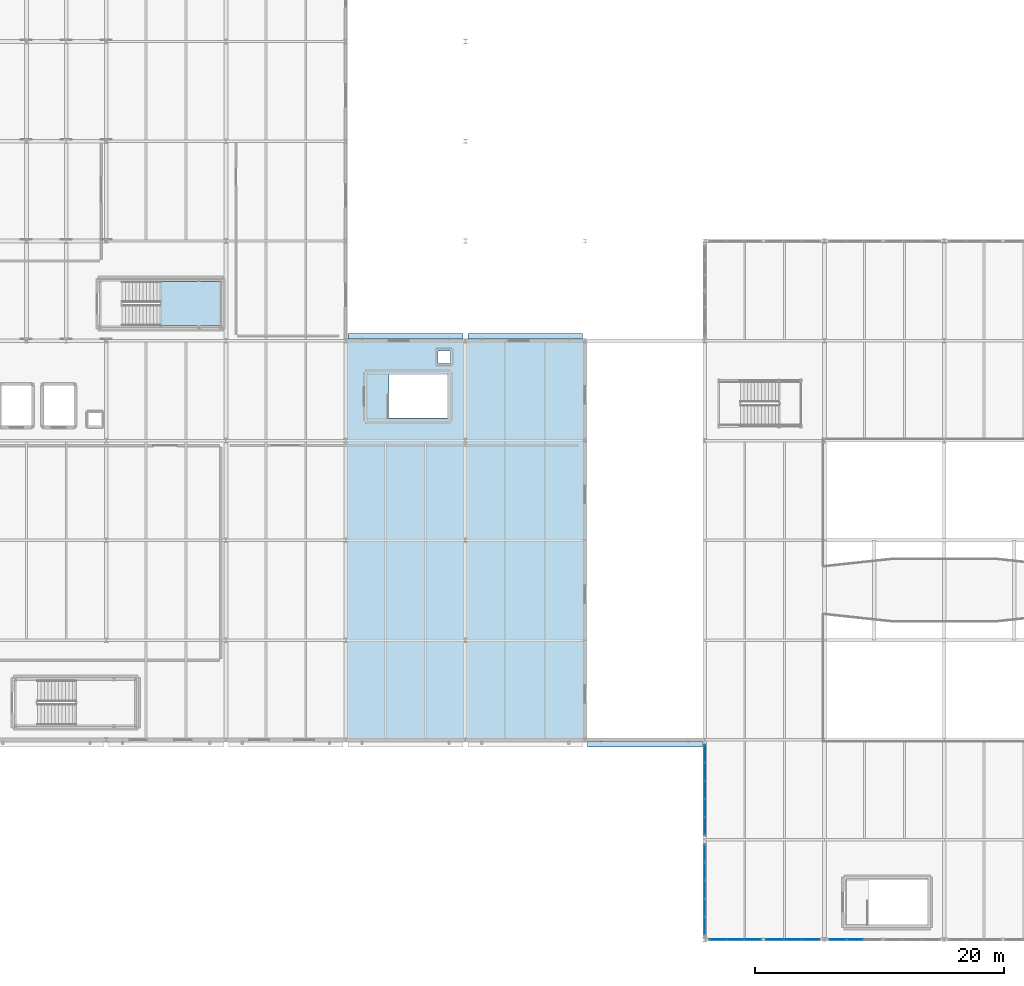
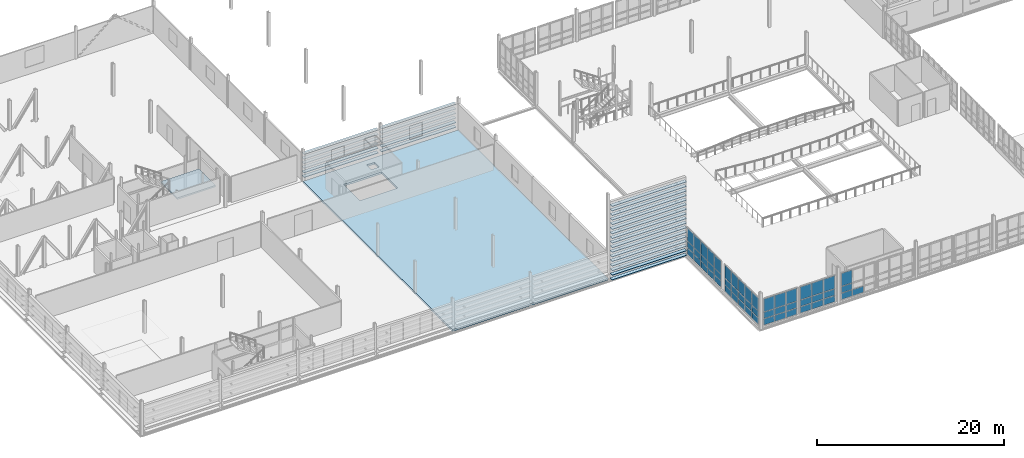
# One storey, part 47 of 73: 81 plates, 2 slabs, 6 elements without a shape of their own.
"""IFC4 building model written with IfcOpenShell, lengths in metres."""

from ifc_helpers import new_model, si_unit, direction, frame, origin, origin_2d, place, context, subcontext, project, spatial, polyline, rectangle, outline, extrude, material, layer, layer_set, type_object, element, aggregate, save


model = new_model("IFC4")

# Units and contexts
model_context = context("Model", 3, precision=1e-05, world=origin(), true_north=direction((0.0, 1.0)))
body_context = subcontext(model_context, "Body", "Model", "MODEL_VIEW")
ifc_project = project(units=[si_unit("LENGTHUNIT", "METRE"), si_unit("AREAUNIT", "SQUARE_METRE"), si_unit("VOLUMEUNIT", "CUBIC_METRE"), si_unit("PLANEANGLEUNIT", "RADIAN"), si_unit("MASSUNIT", "GRAM", prefix="KILO")], contexts=[model_context])

# Site, building, storey
site_placement = place(None, origin())
site = spatial("IfcSite", under=ifc_project, at=site_placement, CompositionType="ELEMENT")
building_placement = place(site_placement, origin())
building = spatial("IfcBuilding", under=site, at=building_placement, Name="Alderhovde Museum", CompositionType="ELEMENT")
storey_placement = place(building_placement, frame((0.0, 0.0, 12.89990234375)))
storey = spatial("IfcBuildingStorey", under=building, at=storey_placement, Name="L03", CompositionType="ELEMENT", Elevation=12.89990234375)

# Curtain wall, plates
ifc_material_1 = material(Name="Triple-Glazed Bronze-Anodised Curtain Wall", Category="glass")
ifc_layer_1 = layer(ifc_material_1, 0.179931640625)
ifc_layer_set_1 = layer_set([ifc_layer_1], Name="Triple-Glazed Bronze-Anodised Curtain Wall")
curtain_wall_type_1 = type_object("IfcCurtainWallType", Name="CW-UNIT-420x354", PredefinedType="USERDEFINED", material=ifc_layer_set_1)
curtain_wall_1_placement = place(storey_placement, origin())
curtain_wall_1 = element("IfcCurtainWall", 1, at=curtain_wall_1_placement, inside=storey, type_object=curtain_wall_type_1, Name="L03 Unitised Curtain Wall 56", ObjectType="UNITISED CURTAIN WALL", PredefinedType="USERDEFINED")
ifc_material_2 = material(Name="Triple-Glazed Low-E Laminated Glass", Category="glass")
ifc_layer_2 = layer(ifc_material_2, 0.028076171875)
ifc_layer_set_2 = layer_set([ifc_layer_2], Name="Triple-Glazed Low-E Laminated Glass")
plate_type_1 = type_object("IfcPlateType", Name="CWP-GLAZ-28", PredefinedType="CURTAIN_PANEL", material=ifc_layer_set_2)
plate_1_placement = place(storey_placement, frame((77.8662109375, 32.0, 0.06494140625), z_axis=(0.0, 0.0, 1.0), x_axis=(1.0, 0.0, 0.0)))
plate_1 = element("IfcPlate", 2, at=plate_1_placement, type_object=plate_type_1, Name="CW15 panel 1.1", PredefinedType="CURTAIN_PANEL", context=body_context, shape_type="SweptSolid", body=[
    extrude(rectangle(XDim=1.302490234375, YDim=0.028076171875, at=origin_2d()), origin(), (0.0, 0.0, 1.0), 0.802490234375),
])
plate_2_placement = place(storey_placement, frame((77.8662109375, 32.0, 0.9326171875), z_axis=(0.0, 0.0, 1.0), x_axis=(1.0, 0.0, 0.0)))
plate_2 = element("IfcPlate", 3, at=plate_2_placement, type_object=plate_type_1, Name="CW15 panel 1.2", PredefinedType="CURTAIN_PANEL", context=body_context, shape_type="SweptSolid", body=[
    extrude(rectangle(XDim=1.302490234375, YDim=0.028076171875, at=origin_2d()), origin(), (0.0, 0.0, 1.0), 0.804931640625),
])
plate_3_placement = place(storey_placement, frame((77.8662109375, 32.0, 1.802734375), z_axis=(0.0, 0.0, 1.0), x_axis=(1.0, 0.0, 0.0)))
plate_3 = element("IfcPlate", 4, at=plate_3_placement, type_object=plate_type_1, Name="CW15 panel 1.3", PredefinedType="CURTAIN_PANEL", context=body_context, shape_type="SweptSolid", body=[
    extrude(rectangle(XDim=1.302490234375, YDim=0.028076171875, at=origin_2d()), origin(), (0.0, 0.0, 1.0), 1.672607421875),
])
plate_4_placement = place(storey_placement, frame((79.25, 32.0, 0.06494140625), z_axis=(0.0, 0.0, 1.0), x_axis=(1.0, 0.0, 0.0)))
plate_4 = element("IfcPlate", 5, at=plate_4_placement, type_object=plate_type_1, Name="CW15 panel 2.1", PredefinedType="CURTAIN_PANEL", context=body_context, shape_type="SweptSolid", body=[
    extrude(rectangle(XDim=1.3349609375, YDim=0.028076171875, at=origin_2d()), origin(), (0.0, 0.0, 1.0), 0.802490234375),
])
plate_5_placement = place(storey_placement, frame((79.25, 32.0, 0.9326171875), z_axis=(0.0, 0.0, 1.0), x_axis=(1.0, 0.0, 0.0)))
plate_5 = element("IfcPlate", 6, at=plate_5_placement, type_object=plate_type_1, Name="CW15 panel 2.2", PredefinedType="CURTAIN_PANEL", context=body_context, shape_type="SweptSolid", body=[
    extrude(rectangle(XDim=1.3349609375, YDim=0.028076171875, at=origin_2d()), origin(), (0.0, 0.0, 1.0), 0.804931640625),
])
plate_6_placement = place(storey_placement, frame((79.25, 32.0, 1.802734375), z_axis=(0.0, 0.0, 1.0), x_axis=(1.0, 0.0, 0.0)))
plate_6 = element("IfcPlate", 7, at=plate_6_placement, type_object=plate_type_1, Name="CW15 panel 2.3", PredefinedType="CURTAIN_PANEL", context=body_context, shape_type="SweptSolid", body=[
    extrude(rectangle(XDim=1.3349609375, YDim=0.028076171875, at=origin_2d()), origin(), (0.0, 0.0, 1.0), 1.672607421875),
])
plate_7_placement = place(storey_placement, frame((80.6337890625, 32.0, 0.06494140625), z_axis=(0.0, 0.0, 1.0), x_axis=(1.0, 0.0, 0.0)))
plate_7 = element("IfcPlate", 8, at=plate_7_placement, type_object=plate_type_1, Name="CW15 panel 3.1", PredefinedType="CURTAIN_PANEL", context=body_context, shape_type="SweptSolid", body=[
    extrude(rectangle(XDim=1.302490234375, YDim=0.028076171875, at=origin_2d()), origin(), (0.0, 0.0, 1.0), 0.802490234375),
])
plate_8_placement = place(storey_placement, frame((80.6337890625, 32.0, 0.9326171875), z_axis=(0.0, 0.0, 1.0), x_axis=(1.0, 0.0, 0.0)))
plate_8 = element("IfcPlate", 9, at=plate_8_placement, type_object=plate_type_1, Name="CW15 panel 3.2", PredefinedType="CURTAIN_PANEL", context=body_context, shape_type="SweptSolid", body=[
    extrude(rectangle(XDim=1.302490234375, YDim=0.028076171875, at=origin_2d()), origin(), (0.0, 0.0, 1.0), 0.804931640625),
])
plate_9_placement = place(storey_placement, frame((80.6337890625, 32.0, 1.802734375), z_axis=(0.0, 0.0, 1.0), x_axis=(1.0, 0.0, 0.0)))
plate_9 = element("IfcPlate", 10, at=plate_9_placement, type_object=plate_type_1, Name="CW15 panel 3.3", PredefinedType="CURTAIN_PANEL", context=body_context, shape_type="SweptSolid", body=[
    extrude(rectangle(XDim=1.302490234375, YDim=0.028076171875, at=origin_2d()), origin(), (0.0, 0.0, 1.0), 1.672607421875),
])
aggregate(curtain_wall_1, [plate_1, plate_2, plate_3, plate_4, plate_5, plate_6, plate_7, plate_8, plate_9])

ifc_material_3 = material(Name="Triple-Glazed Bronze-Anodised Curtain Wall", Category="glass")
ifc_layer_3 = layer(ifc_material_3, 0.179931640625)
ifc_layer_set_3 = layer_set([ifc_layer_3], Name="Triple-Glazed Bronze-Anodised Curtain Wall")
curtain_wall_type_2 = type_object("IfcCurtainWallType", Name="CW-STIC-730x354", PredefinedType="USERDEFINED", material=ifc_layer_set_3)
curtain_wall_2_placement = place(storey_placement, origin())
curtain_wall_2 = element("IfcCurtainWall", 11, at=curtain_wall_2_placement, inside=storey, type_object=curtain_wall_type_2, Name="L03 Stick Curtain Wall 64", ObjectType="STICK CURTAIN WALL", PredefinedType="USERDEFINED")
plate_10_placement = place(storey_placement, frame((76.800048828125, 33.09619140625, 0.06494140625), z_axis=(0.0, 0.0, 1.0), x_axis=(0.0, 1.0, 0.0)))
plate_10 = element("IfcPlate", 12, at=plate_10_placement, type_object=plate_type_1, Name="CW17 panel 1.1", PredefinedType="CURTAIN_PANEL", context=body_context, shape_type="SweptSolid", body=[
    extrude(rectangle(XDim=1.362548828125, YDim=0.028076171875, at=origin_2d()), origin(), (0.0, 0.0, 1.0), 0.802490234375),
])
plate_11_placement = place(storey_placement, frame((76.800048828125, 33.09619140625, 0.9326171875), z_axis=(0.0, 0.0, 1.0), x_axis=(0.0, 1.0, 0.0)))
plate_11 = element("IfcPlate", 13, at=plate_11_placement, type_object=plate_type_1, Name="CW17 panel 1.2", PredefinedType="CURTAIN_PANEL", context=body_context, shape_type="SweptSolid", body=[
    extrude(rectangle(XDim=1.362548828125, YDim=0.028076171875, at=origin_2d()), origin(), (0.0, 0.0, 1.0), 0.804931640625),
])
plate_12_placement = place(storey_placement, frame((76.800048828125, 33.09619140625, 1.802734375), z_axis=(0.0, 0.0, 1.0), x_axis=(0.0, 1.0, 0.0)))
plate_12 = element("IfcPlate", 14, at=plate_12_placement, type_object=plate_type_1, Name="CW17 panel 1.3", PredefinedType="CURTAIN_PANEL", context=body_context, shape_type="SweptSolid", body=[
    extrude(rectangle(XDim=1.362548828125, YDim=0.028076171875, at=origin_2d()), origin(), (0.0, 0.0, 1.0), 1.672607421875),
])
plate_13_placement = place(storey_placement, frame((76.800048828125, 34.5400390625, 0.06494140625), z_axis=(0.0, 0.0, 1.0), x_axis=(0.0, 1.0, 0.0)))
plate_13 = element("IfcPlate", 15, at=plate_13_placement, type_object=plate_type_1, Name="CW17 panel 2.1", PredefinedType="CURTAIN_PANEL", context=body_context, shape_type="SweptSolid", body=[
    extrude(rectangle(XDim=1.39501953125, YDim=0.028076171875, at=origin_2d()), origin(), (0.0, 0.0, 1.0), 0.802490234375),
])
plate_14_placement = place(storey_placement, frame((76.800048828125, 34.5400390625, 0.9326171875), z_axis=(0.0, 0.0, 1.0), x_axis=(0.0, 1.0, 0.0)))
plate_14 = element("IfcPlate", 16, at=plate_14_placement, type_object=plate_type_1, Name="CW17 panel 2.2", PredefinedType="CURTAIN_PANEL", context=body_context, shape_type="SweptSolid", body=[
    extrude(rectangle(XDim=1.39501953125, YDim=0.028076171875, at=origin_2d()), origin(), (0.0, 0.0, 1.0), 0.804931640625),
])
plate_15_placement = place(storey_placement, frame((76.800048828125, 34.5400390625, 1.802734375), z_axis=(0.0, 0.0, 1.0), x_axis=(0.0, 1.0, 0.0)))
plate_15 = element("IfcPlate", 17, at=plate_15_placement, type_object=plate_type_1, Name="CW17 panel 2.3", PredefinedType="CURTAIN_PANEL", context=body_context, shape_type="SweptSolid", body=[
    extrude(rectangle(XDim=1.39501953125, YDim=0.028076171875, at=origin_2d()), origin(), (0.0, 0.0, 1.0), 1.672607421875),
])
plate_16_placement = place(storey_placement, frame((76.800048828125, 36.0, 0.06494140625), z_axis=(0.0, 0.0, 1.0), x_axis=(0.0, 1.0, 0.0)))
plate_16 = element("IfcPlate", 18, at=plate_16_placement, type_object=plate_type_1, Name="CW17 panel 3.1", PredefinedType="CURTAIN_PANEL", context=body_context, shape_type="SweptSolid", body=[
    extrude(rectangle(XDim=1.39501953125, YDim=0.028076171875, at=origin_2d()), origin(), (0.0, 0.0, 1.0), 0.802490234375),
])
plate_17_placement = place(storey_placement, frame((76.800048828125, 36.0, 0.9326171875), z_axis=(0.0, 0.0, 1.0), x_axis=(0.0, 1.0, 0.0)))
plate_17 = element("IfcPlate", 19, at=plate_17_placement, type_object=plate_type_1, Name="CW17 panel 3.2", PredefinedType="CURTAIN_PANEL", context=body_context, shape_type="SweptSolid", body=[
    extrude(rectangle(XDim=1.39501953125, YDim=0.028076171875, at=origin_2d()), origin(), (0.0, 0.0, 1.0), 0.804931640625),
])
plate_18_placement = place(storey_placement, frame((76.800048828125, 36.0, 1.802734375), z_axis=(0.0, 0.0, 1.0), x_axis=(0.0, 1.0, 0.0)))
plate_18 = element("IfcPlate", 20, at=plate_18_placement, type_object=plate_type_1, Name="CW17 panel 3.3", PredefinedType="CURTAIN_PANEL", context=body_context, shape_type="SweptSolid", body=[
    extrude(rectangle(XDim=1.39501953125, YDim=0.028076171875, at=origin_2d()), origin(), (0.0, 0.0, 1.0), 1.672607421875),
])
plate_19_placement = place(storey_placement, frame((76.800048828125, 37.4599609375, 0.06494140625), z_axis=(0.0, 0.0, 1.0), x_axis=(0.0, 1.0, 0.0)))
plate_19 = element("IfcPlate", 21, at=plate_19_placement, type_object=plate_type_1, Name="CW17 panel 4.1", PredefinedType="CURTAIN_PANEL", context=body_context, shape_type="SweptSolid", body=[
    extrude(rectangle(XDim=1.39501953125, YDim=0.028076171875, at=origin_2d()), origin(), (0.0, 0.0, 1.0), 0.802490234375),
])
plate_20_placement = place(storey_placement, frame((76.800048828125, 37.4599609375, 0.9326171875), z_axis=(0.0, 0.0, 1.0), x_axis=(0.0, 1.0, 0.0)))
plate_20 = element("IfcPlate", 22, at=plate_20_placement, type_object=plate_type_1, Name="CW17 panel 4.2", PredefinedType="CURTAIN_PANEL", context=body_context, shape_type="SweptSolid", body=[
    extrude(rectangle(XDim=1.39501953125, YDim=0.028076171875, at=origin_2d()), origin(), (0.0, 0.0, 1.0), 0.804931640625),
])
plate_21_placement = place(storey_placement, frame((76.800048828125, 37.4599609375, 1.802734375), z_axis=(0.0, 0.0, 1.0), x_axis=(0.0, 1.0, 0.0)))
plate_21 = element("IfcPlate", 23, at=plate_21_placement, type_object=plate_type_1, Name="CW17 panel 4.3", PredefinedType="CURTAIN_PANEL", context=body_context, shape_type="SweptSolid", body=[
    extrude(rectangle(XDim=1.39501953125, YDim=0.028076171875, at=origin_2d()), origin(), (0.0, 0.0, 1.0), 1.672607421875),
])
plate_22_placement = place(storey_placement, frame((76.800048828125, 38.90380859375, 0.06494140625), z_axis=(0.0, 0.0, 1.0), x_axis=(0.0, 1.0, 0.0)))
plate_22 = element("IfcPlate", 24, at=plate_22_placement, type_object=plate_type_1, Name="CW17 panel 5.1", PredefinedType="CURTAIN_PANEL", context=body_context, shape_type="SweptSolid", body=[
    extrude(rectangle(XDim=1.362548828125, YDim=0.028076171875, at=origin_2d()), origin(), (0.0, 0.0, 1.0), 0.802490234375),
])
plate_23_placement = place(storey_placement, frame((76.800048828125, 38.90380859375, 0.9326171875), z_axis=(0.0, 0.0, 1.0), x_axis=(0.0, 1.0, 0.0)))
plate_23 = element("IfcPlate", 25, at=plate_23_placement, type_object=plate_type_1, Name="CW17 panel 5.2", PredefinedType="CURTAIN_PANEL", context=body_context, shape_type="SweptSolid", body=[
    extrude(rectangle(XDim=1.362548828125, YDim=0.028076171875, at=origin_2d()), origin(), (0.0, 0.0, 1.0), 0.804931640625),
])
plate_24_placement = place(storey_placement, frame((76.800048828125, 38.90380859375, 1.802734375), z_axis=(0.0, 0.0, 1.0), x_axis=(0.0, 1.0, 0.0)))
plate_24 = element("IfcPlate", 26, at=plate_24_placement, type_object=plate_type_1, Name="CW17 panel 5.3", PredefinedType="CURTAIN_PANEL", context=body_context, shape_type="SweptSolid", body=[
    extrude(rectangle(XDim=1.362548828125, YDim=0.028076171875, at=origin_2d()), origin(), (0.0, 0.0, 1.0), 1.672607421875),
])
aggregate(curtain_wall_2, [plate_10, plate_11, plate_12, plate_13, plate_14, plate_15, plate_16, plate_17, plate_18, plate_19, plate_20, plate_21, plate_22, plate_23, plate_24])

ifc_material_4 = material(Name="Triple-Glazed Bronze-Anodised Curtain Wall", Category="glass")
ifc_layer_4 = layer(ifc_material_4, 0.179931640625)
ifc_layer_set_4 = layer_set([ifc_layer_4], Name="Triple-Glazed Bronze-Anodised Curtain Wall")
curtain_wall_type_3 = type_object("IfcCurtainWallType", Name="CW-UNIT-440x354", PredefinedType="USERDEFINED", material=ifc_layer_set_4)
curtain_wall_3_placement = place(storey_placement, origin())
curtain_wall_3 = element("IfcCurtainWall", 27, at=curtain_wall_3_placement, inside=storey, type_object=curtain_wall_type_3, Name="L03 Unitised Curtain Wall 57", ObjectType="UNITISED CURTAIN WALL", PredefinedType="USERDEFINED")
ifc_material_5 = material(Name="Triple-Glazed Low-E Laminated Glass", Category="glass")
ifc_layer_5 = layer(ifc_material_5, 0.035888671875)
ifc_layer_set_5 = layer_set([ifc_layer_5], Name="Triple-Glazed Low-E Laminated Glass")
plate_type_2 = type_object("IfcPlateType", Name="CWP-GLAZ-36", PredefinedType="CURTAIN_PANEL", material=ifc_layer_set_5)
plate_25_placement = place(storey_placement, frame((82.399658203125, 32.0, 0.06494140625), z_axis=(0.0, 0.0, 1.0), x_axis=(1.0, 0.0, 0.0)))
plate_25 = element("IfcPlate", 28, at=plate_25_placement, type_object=plate_type_2, Name="CW16 panel 1.1", PredefinedType="CURTAIN_PANEL", context=body_context, shape_type="SweptSolid", body=[
    extrude(rectangle(XDim=1.369140625, YDim=0.035888671875, at=origin_2d()), origin(), (0.0, 0.0, 1.0), 0.802490234375),
])
plate_26_placement = place(storey_placement, frame((82.399658203125, 32.0, 0.9326171875), z_axis=(0.0, 0.0, 1.0), x_axis=(1.0, 0.0, 0.0)))
plate_26 = element("IfcPlate", 29, at=plate_26_placement, type_object=plate_type_2, Name="CW16 panel 1.2", PredefinedType="CURTAIN_PANEL", context=body_context, shape_type="SweptSolid", body=[
    extrude(rectangle(XDim=1.369140625, YDim=0.035888671875, at=origin_2d()), origin(), (0.0, 0.0, 1.0), 0.804931640625),
])
plate_27_placement = place(storey_placement, frame((82.399658203125, 32.0, 1.802734375), z_axis=(0.0, 0.0, 1.0), x_axis=(1.0, 0.0, 0.0)))
plate_27 = element("IfcPlate", 30, at=plate_27_placement, type_object=plate_type_2, Name="CW16 panel 1.3", PredefinedType="CURTAIN_PANEL", context=body_context, shape_type="SweptSolid", body=[
    extrude(rectangle(XDim=1.369140625, YDim=0.035888671875, at=origin_2d()), origin(), (0.0, 0.0, 1.0), 1.672607421875),
])
plate_28_placement = place(storey_placement, frame((83.85009765625, 32.0, 0.06494140625), z_axis=(0.0, 0.0, 1.0), x_axis=(1.0, 0.0, 0.0)))
plate_28 = element("IfcPlate", 31, at=plate_28_placement, type_object=plate_type_2, Name="CW16 panel 2.1", PredefinedType="CURTAIN_PANEL", context=body_context, shape_type="SweptSolid", body=[
    extrude(rectangle(XDim=1.401611328125, YDim=0.035888671875, at=origin_2d()), origin(), (0.0, 0.0, 1.0), 0.802490234375),
])
plate_29_placement = place(storey_placement, frame((83.85009765625, 32.0, 0.9326171875), z_axis=(0.0, 0.0, 1.0), x_axis=(1.0, 0.0, 0.0)))
plate_29 = element("IfcPlate", 32, at=plate_29_placement, type_object=plate_type_2, Name="CW16 panel 2.2", PredefinedType="CURTAIN_PANEL", context=body_context, shape_type="SweptSolid", body=[
    extrude(rectangle(XDim=1.401611328125, YDim=0.035888671875, at=origin_2d()), origin(), (0.0, 0.0, 1.0), 0.804931640625),
])
plate_30_placement = place(storey_placement, frame((83.85009765625, 32.0, 1.802734375), z_axis=(0.0, 0.0, 1.0), x_axis=(1.0, 0.0, 0.0)))
plate_30 = element("IfcPlate", 33, at=plate_30_placement, type_object=plate_type_2, Name="CW16 panel 2.3", PredefinedType="CURTAIN_PANEL", context=body_context, shape_type="SweptSolid", body=[
    extrude(rectangle(XDim=1.401611328125, YDim=0.035888671875, at=origin_2d()), origin(), (0.0, 0.0, 1.0), 1.672607421875),
])
plate_31_placement = place(storey_placement, frame((85.300537109375, 32.0, 0.06494140625), z_axis=(0.0, 0.0, 1.0), x_axis=(1.0, 0.0, 0.0)))
plate_31 = element("IfcPlate", 34, at=plate_31_placement, type_object=plate_type_2, Name="CW16 panel 3.1", PredefinedType="CURTAIN_PANEL", context=body_context, shape_type="SweptSolid", body=[
    extrude(rectangle(XDim=1.369140625, YDim=0.035888671875, at=origin_2d()), origin(), (0.0, 0.0, 1.0), 0.802490234375),
])
plate_32_placement = place(storey_placement, frame((85.300537109375, 32.0, 0.9326171875), z_axis=(0.0, 0.0, 1.0), x_axis=(1.0, 0.0, 0.0)))
plate_32 = element("IfcPlate", 35, at=plate_32_placement, type_object=plate_type_2, Name="CW16 panel 3.2", PredefinedType="CURTAIN_PANEL", context=body_context, shape_type="SweptSolid", body=[
    extrude(rectangle(XDim=1.369140625, YDim=0.035888671875, at=origin_2d()), origin(), (0.0, 0.0, 1.0), 0.804931640625),
])
plate_33_placement = place(storey_placement, frame((85.300537109375, 32.0, 1.802734375), z_axis=(0.0, 0.0, 1.0), x_axis=(1.0, 0.0, 0.0)))
plate_33 = element("IfcPlate", 36, at=plate_33_placement, type_object=plate_type_2, Name="CW16 panel 3.3", PredefinedType="CURTAIN_PANEL", context=body_context, shape_type="SweptSolid", body=[
    extrude(rectangle(XDim=1.369140625, YDim=0.035888671875, at=origin_2d()), origin(), (0.0, 0.0, 1.0), 1.672607421875),
])
aggregate(curtain_wall_3, [plate_25, plate_26, plate_27, plate_28, plate_29, plate_30, plate_31, plate_32, plate_33])

curtain_wall_4_placement = place(storey_placement, origin())
curtain_wall_4 = element("IfcCurtainWall", 37, at=curtain_wall_4_placement, inside=storey, type_object=curtain_wall_type_2, Name="L03 Stick Curtain Wall 65", ObjectType="STICK CURTAIN WALL", PredefinedType="USERDEFINED")
plate_34_placement = place(storey_placement, frame((76.800048828125, 41.09619140625, 0.06494140625), z_axis=(0.0, 0.0, 1.0), x_axis=(0.0, 1.0, 0.0)))
plate_34 = element("IfcPlate", 38, at=plate_34_placement, type_object=plate_type_2, Name="CW17 panel 1.1", PredefinedType="CURTAIN_PANEL", context=body_context, shape_type="SweptSolid", body=[
    extrude(rectangle(XDim=1.362548828125, YDim=0.035888671875, at=origin_2d()), origin(), (0.0, 0.0, 1.0), 0.802490234375),
])
plate_35_placement = place(storey_placement, frame((76.800048828125, 41.09619140625, 0.9326171875), z_axis=(0.0, 0.0, 1.0), x_axis=(0.0, 1.0, 0.0)))
plate_35 = element("IfcPlate", 39, at=plate_35_placement, type_object=plate_type_2, Name="CW17 panel 1.2", PredefinedType="CURTAIN_PANEL", context=body_context, shape_type="SweptSolid", body=[
    extrude(rectangle(XDim=1.362548828125, YDim=0.035888671875, at=origin_2d()), origin(), (0.0, 0.0, 1.0), 0.804931640625),
])
plate_36_placement = place(storey_placement, frame((76.800048828125, 41.09619140625, 1.802734375), z_axis=(0.0, 0.0, 1.0), x_axis=(0.0, 1.0, 0.0)))
plate_36 = element("IfcPlate", 40, at=plate_36_placement, type_object=plate_type_2, Name="CW17 panel 1.3", PredefinedType="CURTAIN_PANEL", context=body_context, shape_type="SweptSolid", body=[
    extrude(rectangle(XDim=1.362548828125, YDim=0.035888671875, at=origin_2d()), origin(), (0.0, 0.0, 1.0), 1.672607421875),
])
plate_37_placement = place(storey_placement, frame((76.800048828125, 42.5400390625, 0.06494140625), z_axis=(0.0, 0.0, 1.0), x_axis=(0.0, 1.0, 0.0)))
plate_37 = element("IfcPlate", 41, at=plate_37_placement, type_object=plate_type_2, Name="CW17 panel 2.1", PredefinedType="CURTAIN_PANEL", context=body_context, shape_type="SweptSolid", body=[
    extrude(rectangle(XDim=1.39501953125, YDim=0.035888671875, at=origin_2d()), origin(), (0.0, 0.0, 1.0), 0.802490234375),
])
plate_38_placement = place(storey_placement, frame((76.800048828125, 42.5400390625, 0.9326171875), z_axis=(0.0, 0.0, 1.0), x_axis=(0.0, 1.0, 0.0)))
plate_38 = element("IfcPlate", 42, at=plate_38_placement, type_object=plate_type_2, Name="CW17 panel 2.2", PredefinedType="CURTAIN_PANEL", context=body_context, shape_type="SweptSolid", body=[
    extrude(rectangle(XDim=1.39501953125, YDim=0.035888671875, at=origin_2d()), origin(), (0.0, 0.0, 1.0), 0.804931640625),
])
plate_39_placement = place(storey_placement, frame((76.800048828125, 42.5400390625, 1.802734375), z_axis=(0.0, 0.0, 1.0), x_axis=(0.0, 1.0, 0.0)))
plate_39 = element("IfcPlate", 43, at=plate_39_placement, type_object=plate_type_2, Name="CW17 panel 2.3", PredefinedType="CURTAIN_PANEL", context=body_context, shape_type="SweptSolid", body=[
    extrude(rectangle(XDim=1.39501953125, YDim=0.035888671875, at=origin_2d()), origin(), (0.0, 0.0, 1.0), 1.672607421875),
])
plate_40_placement = place(storey_placement, frame((76.800048828125, 44.0, 0.06494140625), z_axis=(0.0, 0.0, 1.0), x_axis=(0.0, 1.0, 0.0)))
plate_40 = element("IfcPlate", 44, at=plate_40_placement, type_object=plate_type_2, Name="CW17 panel 3.1", PredefinedType="CURTAIN_PANEL", context=body_context, shape_type="SweptSolid", body=[
    extrude(rectangle(XDim=1.39501953125, YDim=0.035888671875, at=origin_2d()), origin(), (0.0, 0.0, 1.0), 0.802490234375),
])
plate_41_placement = place(storey_placement, frame((76.800048828125, 44.0, 0.9326171875), z_axis=(0.0, 0.0, 1.0), x_axis=(0.0, 1.0, 0.0)))
plate_41 = element("IfcPlate", 45, at=plate_41_placement, type_object=plate_type_2, Name="CW17 panel 3.2", PredefinedType="CURTAIN_PANEL", context=body_context, shape_type="SweptSolid", body=[
    extrude(rectangle(XDim=1.39501953125, YDim=0.035888671875, at=origin_2d()), origin(), (0.0, 0.0, 1.0), 0.804931640625),
])
plate_42_placement = place(storey_placement, frame((76.800048828125, 44.0, 1.802734375), z_axis=(0.0, 0.0, 1.0), x_axis=(0.0, 1.0, 0.0)))
plate_42 = element("IfcPlate", 46, at=plate_42_placement, type_object=plate_type_2, Name="CW17 panel 3.3", PredefinedType="CURTAIN_PANEL", context=body_context, shape_type="SweptSolid", body=[
    extrude(rectangle(XDim=1.39501953125, YDim=0.035888671875, at=origin_2d()), origin(), (0.0, 0.0, 1.0), 1.672607421875),
])
plate_43_placement = place(storey_placement, frame((76.800048828125, 45.4599609375, 0.06494140625), z_axis=(0.0, 0.0, 1.0), x_axis=(0.0, 1.0, 0.0)))
plate_43 = element("IfcPlate", 47, at=plate_43_placement, type_object=plate_type_2, Name="CW17 panel 4.1", PredefinedType="CURTAIN_PANEL", context=body_context, shape_type="SweptSolid", body=[
    extrude(rectangle(XDim=1.39501953125, YDim=0.035888671875, at=origin_2d()), origin(), (0.0, 0.0, 1.0), 0.802490234375),
])
plate_44_placement = place(storey_placement, frame((76.800048828125, 45.4599609375, 0.9326171875), z_axis=(0.0, 0.0, 1.0), x_axis=(0.0, 1.0, 0.0)))
plate_44 = element("IfcPlate", 48, at=plate_44_placement, type_object=plate_type_2, Name="CW17 panel 4.2", PredefinedType="CURTAIN_PANEL", context=body_context, shape_type="SweptSolid", body=[
    extrude(rectangle(XDim=1.39501953125, YDim=0.035888671875, at=origin_2d()), origin(), (0.0, 0.0, 1.0), 0.804931640625),
])
plate_45_placement = place(storey_placement, frame((76.800048828125, 45.4599609375, 1.802734375), z_axis=(0.0, 0.0, 1.0), x_axis=(0.0, 1.0, 0.0)))
plate_45 = element("IfcPlate", 49, at=plate_45_placement, type_object=plate_type_2, Name="CW17 panel 4.3", PredefinedType="CURTAIN_PANEL", context=body_context, shape_type="SweptSolid", body=[
    extrude(rectangle(XDim=1.39501953125, YDim=0.035888671875, at=origin_2d()), origin(), (0.0, 0.0, 1.0), 1.672607421875),
])
plate_46_placement = place(storey_placement, frame((76.800048828125, 46.90380859375, 0.06494140625), z_axis=(0.0, 0.0, 1.0), x_axis=(0.0, 1.0, 0.0)))
plate_46 = element("IfcPlate", 50, at=plate_46_placement, type_object=plate_type_2, Name="CW17 panel 5.1", PredefinedType="CURTAIN_PANEL", context=body_context, shape_type="SweptSolid", body=[
    extrude(rectangle(XDim=1.362548828125, YDim=0.035888671875, at=origin_2d()), origin(), (0.0, 0.0, 1.0), 0.802490234375),
])
plate_47_placement = place(storey_placement, frame((76.800048828125, 46.90380859375, 0.9326171875), z_axis=(0.0, 0.0, 1.0), x_axis=(0.0, 1.0, 0.0)))
plate_47 = element("IfcPlate", 51, at=plate_47_placement, type_object=plate_type_2, Name="CW17 panel 5.2", PredefinedType="CURTAIN_PANEL", context=body_context, shape_type="SweptSolid", body=[
    extrude(rectangle(XDim=1.362548828125, YDim=0.035888671875, at=origin_2d()), origin(), (0.0, 0.0, 1.0), 0.804931640625),
])
plate_48_placement = place(storey_placement, frame((76.800048828125, 46.90380859375, 1.802734375), z_axis=(0.0, 0.0, 1.0), x_axis=(0.0, 1.0, 0.0)))
plate_48 = element("IfcPlate", 52, at=plate_48_placement, type_object=plate_type_2, Name="CW17 panel 5.3", PredefinedType="CURTAIN_PANEL", context=body_context, shape_type="SweptSolid", body=[
    extrude(rectangle(XDim=1.362548828125, YDim=0.035888671875, at=origin_2d()), origin(), (0.0, 0.0, 1.0), 1.672607421875),
])
aggregate(curtain_wall_4, [plate_34, plate_35, plate_36, plate_37, plate_38, plate_39, plate_40, plate_41, plate_42, plate_43, plate_44, plate_45, plate_46, plate_47, plate_48])

curtain_wall_5_placement = place(storey_placement, origin())
curtain_wall_5 = element("IfcCurtainWall", 53, at=curtain_wall_5_placement, inside=storey, type_object=curtain_wall_type_1, Name="L03 Unitised Curtain Wall 58", ObjectType="UNITISED CURTAIN WALL", PredefinedType="USERDEFINED")
ifc_material_6 = material(Name="Triple-Glazed Low-E Laminated Glass", Category="glass")
ifc_layer_6 = layer(ifc_material_6, 0.0439453125)
ifc_layer_set_6 = layer_set([ifc_layer_6], Name="Triple-Glazed Low-E Laminated Glass")
plate_type_3 = type_object("IfcPlateType", Name="CWP-GLAZ-44", PredefinedType="CURTAIN_PANEL", material=ifc_layer_set_6)
plate_49_placement = place(storey_placement, frame((87.46630859375, 32.0, 0.06494140625), z_axis=(0.0, 0.0, 1.0), x_axis=(1.0, 0.0, 0.0)))
plate_49 = element("IfcPlate", 54, at=plate_49_placement, type_object=plate_type_3, Name="CW15 panel 1.1", PredefinedType="CURTAIN_PANEL", context=body_context, shape_type="SweptSolid", body=[
    extrude(rectangle(XDim=1.302490234375, YDim=0.0439453125, at=origin_2d()), origin(), (0.0, 0.0, 1.0), 0.802490234375),
])
plate_50_placement = place(storey_placement, frame((87.46630859375, 32.0, 0.9326171875), z_axis=(0.0, 0.0, 1.0), x_axis=(1.0, 0.0, 0.0)))
plate_50 = element("IfcPlate", 55, at=plate_50_placement, type_object=plate_type_3, Name="CW15 panel 1.2", PredefinedType="CURTAIN_PANEL", context=body_context, shape_type="SweptSolid", body=[
    extrude(rectangle(XDim=1.302490234375, YDim=0.0439453125, at=origin_2d()), origin(), (0.0, 0.0, 1.0), 0.804931640625),
])
plate_51_placement = place(storey_placement, frame((87.46630859375, 32.0, 1.802734375), z_axis=(0.0, 0.0, 1.0), x_axis=(1.0, 0.0, 0.0)))
plate_51 = element("IfcPlate", 56, at=plate_51_placement, type_object=plate_type_3, Name="CW15 panel 1.3", PredefinedType="CURTAIN_PANEL", context=body_context, shape_type="SweptSolid", body=[
    extrude(rectangle(XDim=1.302490234375, YDim=0.0439453125, at=origin_2d()), origin(), (0.0, 0.0, 1.0), 1.672607421875),
])
plate_52_placement = place(storey_placement, frame((88.85009765625, 32.0, 0.06494140625), z_axis=(0.0, 0.0, 1.0), x_axis=(1.0, 0.0, 0.0)))
plate_52 = element("IfcPlate", 57, at=plate_52_placement, type_object=plate_type_3, Name="CW15 panel 2.1", PredefinedType="CURTAIN_PANEL", context=body_context, shape_type="SweptSolid", body=[
    extrude(rectangle(XDim=1.3349609375, YDim=0.0439453125, at=origin_2d()), origin(), (0.0, 0.0, 1.0), 0.802490234375),
])
aggregate(curtain_wall_5, [plate_49, plate_50, plate_51, plate_52])

# Plates
ifc_material_7 = material(Name="Bronze-Anodised Aluminium EN AW-6063-T6", Category="aluminium")
ifc_layer_7 = layer(ifc_material_7, 0.06494140625)
ifc_layer_set_7 = layer_set([ifc_layer_7], Name="Bronze-Anodised Aluminium EN AW-6063-T6")
plate_type_4 = type_object("IfcPlateType", Name="LV-BLADE-450", PredefinedType="USERDEFINED", material=ifc_layer_set_7)
for number, where, z_axis, x_axis, name in (
    (58, (72.0, 47.64501953125, 0.007568359375), (0.0, 0.0, 1.0), (1.0, 0.0, 0.0), "L03 Wrap-Around Horizontal Louvre 16"),
    (59, (72.0, 47.64501953125, 0.607666015625), (0.0, 0.0, 1.0), (1.0, 0.0, 0.0), "L03 Wrap-Around Horizontal Louvre 17"),
    (60, (72.0, 47.64501953125, 1.20751953125), (0.0, 0.0, 1.0), (1.0, 0.0, 0.0), "L03 Wrap-Around Horizontal Louvre 18"),
    (61, (72.0, 47.64501953125, 1.8076171875), (0.0, 0.0, 1.0), (1.0, 0.0, 0.0), "L03 Wrap-Around Horizontal Louvre 19"),
    (62, (72.0, 47.64501953125, 2.40771484375), (0.0, 0.0, 1.0), (1.0, 0.0, 0.0), "L03 Wrap-Around Horizontal Louvre 20"),
    (63, (72.0, 47.64501953125, 3.007568359375), (0.0, 0.0, 1.0), (1.0, 0.0, 0.0), "L03 Wrap-Around Horizontal Louvre 21"),
    (64, (72.0, 47.64501953125, 3.607666015625), (0.0, 0.0, 1.0), (1.0, 0.0, 0.0), "L03 Wrap-Around Horizontal Louvre 22"),
    (65, (72.0, 47.64501953125, 4.20751953125), (0.0, 0.0, 1.0), (1.0, 0.0, 0.0), "L03 Wrap-Around Horizontal Louvre 23"),
    (66, (72.0, 47.64501953125, 4.8076171875), (0.0, 0.0, 1.0), (1.0, 0.0, 0.0), "L03 Wrap-Around Horizontal Louvre 24"),
    (67, (72.0, 47.64501953125, 5.40771484375), (0.0, 0.0, 1.0), (1.0, 0.0, 0.0), "L03 Wrap-Around Horizontal Louvre 25"),
    (68, (72.0, 47.64501953125, 6.007568359375), (0.0, 0.0, 1.0), (1.0, 0.0, 0.0), "L03 Wrap-Around Horizontal Louvre 26"),
    (69, (72.0, 47.64501953125, 6.607666015625), (0.0, 0.0, 1.0), (1.0, 0.0, 0.0), "L03 Wrap-Around Horizontal Louvre 27"),
    (70, (72.0, 47.64501953125, 7.20751953125), (0.0, 0.0, 1.0), (1.0, 0.0, 0.0), "L03 Wrap-Around Horizontal Louvre 28"),
    (71, (72.0, 47.64501953125, 7.8076171875), (0.0, 0.0, 1.0), (1.0, 0.0, 0.0), "L03 Wrap-Around Horizontal Louvre 29"),
    (72, (72.0, 47.64501953125, 8.40771484375), (0.0, 0.0, 1.0), (1.0, 0.0, 0.0), "L03 Wrap-Around Horizontal Louvre 30"),
    (73, (72.0, 47.64501953125, 9.007568359375), (0.0, 0.0, 1.0), (1.0, 0.0, 0.0), "L03 Wrap-Around Horizontal Louvre 31"),
    (74, (72.0, 47.64501953125, 9.607666015625), (0.0, 0.0, 1.0), (1.0, 0.0, 0.0), "L03 Wrap-Around Horizontal Louvre 32"),
    (75, (52.800048828125, 80.35498046875, 0.267578125), (0.0, 0.0, 1.0), (1.0, 0.0, 0.0), "L03 Wrap-Around Horizontal Louvre 187"),
    (76, (52.800048828125, 80.35498046875, 0.86767578125), (0.0, 0.0, 1.0), (1.0, 0.0, 0.0), "L03 Wrap-Around Horizontal Louvre 188"),
    (77, (52.800048828125, 80.35498046875, 1.467529296875), (0.0, 0.0, 1.0), (1.0, 0.0, 0.0), "L03 Wrap-Around Horizontal Louvre 189"),
    (78, (52.800048828125, 80.35498046875, 2.067626953125), (0.0, 0.0, 1.0), (1.0, 0.0, 0.0), "L03 Wrap-Around Horizontal Louvre 190"),
    (79, (52.800048828125, 80.35498046875, 2.667724609375), (0.0, 0.0, 1.0), (1.0, 0.0, 0.0), "L03 Wrap-Around Horizontal Louvre 191"),
    (80, (52.800048828125, 80.35498046875, 3.267578125), (0.0, 0.0, 1.0), (1.0, 0.0, 0.0), "L03 Wrap-Around Horizontal Louvre 192"),
    (81, (62.39990234375, 80.35498046875, 0.267578125), (0.0, 0.0, 1.0), (1.0, 0.0, 0.0), "L03 Wrap-Around Horizontal Louvre 193"),
    (82, (62.39990234375, 80.35498046875, 0.86767578125), (0.0, 0.0, 1.0), (1.0, 0.0, 0.0), "L03 Wrap-Around Horizontal Louvre 194"),
    (83, (62.39990234375, 80.35498046875, 1.467529296875), (0.0, 0.0, 1.0), (1.0, 0.0, 0.0), "L03 Wrap-Around Horizontal Louvre 195"),
    (84, (62.39990234375, 80.35498046875, 2.067626953125), (0.0, 0.0, 1.0), (1.0, 0.0, 0.0), "L03 Wrap-Around Horizontal Louvre 196"),
    (85, (62.39990234375, 80.35498046875, 2.667724609375), (0.0, 0.0, 1.0), (1.0, 0.0, 0.0), "L03 Wrap-Around Horizontal Louvre 197"),
    (86, (62.39990234375, 80.35498046875, 3.267578125), (0.0, 0.0, 1.0), (1.0, 0.0, 0.0), "L03 Wrap-Around Horizontal Louvre 198"),
):
    element("IfcPlate", number, at=place(storey_placement, frame(where, z_axis=z_axis, x_axis=x_axis)), inside=storey, type_object=plate_type_4, Name=name, ObjectType="LOUVRE BLADE", PredefinedType="USERDEFINED", context=body_context, shape_type="SweptSolid", body=[
        extrude(rectangle(XDim=9.199951171875, YDim=0.449951171875, at=origin_2d()), origin(), (0.0, 0.0, 1.0), 0.06494140625),
    ])

# Slab
ifc_material_8 = material(Name="Concrete C35/45", Category="concrete")
ifc_layer_8 = layer(ifc_material_8, 0.260009765625)
ifc_layer_set_8 = layer_set([ifc_layer_8], Name="Concrete C35/45")
slab_type_1 = type_object("IfcSlabType", Name="SLB-FLR-260", PredefinedType="FLOOR", material=ifc_layer_set_8)
slab_1_placement = place(storey_placement, frame((0.0, 0.0, -0.260009765625)))
element("IfcSlab", 87, at=slab_1_placement, inside=storey, type_object=slab_type_1, Name="L03 VOL1 Structural Slab", PredefinedType="FLOOR", context=body_context, shape_type="SweptSolid", body=[
    extrude(outline(polyline([(48.0, 48.0), (67.199951171875, 48.0), (67.199951171875, 80.0), (48.0, 80.0), (48.0, 48.0)]), holes=[polyline([(51.469970703125, 73.800048828125), (56.159912109375, 73.800048828125), (56.159912109375, 77.280029296875), (51.469970703125, 77.280029296875), (51.469970703125, 73.800048828125)]), polyline([(55.39990234375, 78.199951171875), (56.39990234375, 78.199951171875), (56.39990234375, 79.199951171875), (55.39990234375, 79.199951171875), (55.39990234375, 78.199951171875)])]), origin(), (0.0, 0.0, 1.0), 0.260009765625),
])

# Stair, slab
ifc_material_9 = material(Name="Concrete C35/45", Category="concrete")
stair_type = type_object("IfcStairType", Name="STR-1500-4500", PredefinedType="HALF_TURN_STAIR", material=ifc_material_9)
stair_placement = place(storey_placement, origin())
stair = element("IfcStair", 88, at=stair_placement, inside=storey, type_object=stair_type, Name="L03 Escape Stair ST2", PredefinedType="HALF_TURN_STAIR")
ifc_material_10 = material(Name="Concrete C35/45", Category="concrete")
ifc_layer_9 = layer(ifc_material_10, 0.199951171875)
ifc_layer_set_9 = layer_set([ifc_layer_9], Name="Concrete C35/45")
slab_type_2 = type_object("IfcSlabType", Name="SLB-LANDING-200", PredefinedType="LANDING", material=ifc_layer_set_9)
slab_2_placement = place(storey_placement, frame((0.0, 0.0, 2.050048828125)))
slab_2 = element("IfcSlab", 89, at=slab_2_placement, type_object=slab_type_2, Name="ST2 landing 1", PredefinedType="LANDING", context=body_context, shape_type="SweptSolid", body=[
    extrude(outline(polyline([(33.159912109375, 81.199951171875), (37.919921875, 81.199951171875), (37.919921875, 84.760009765625), (33.159912109375, 84.760009765625), (33.159912109375, 81.199951171875)])), origin(), (0.0, 0.0, 1.0), 0.199951171875),
])
aggregate(stair, [slab_2])

save(model, "model.ifc")
